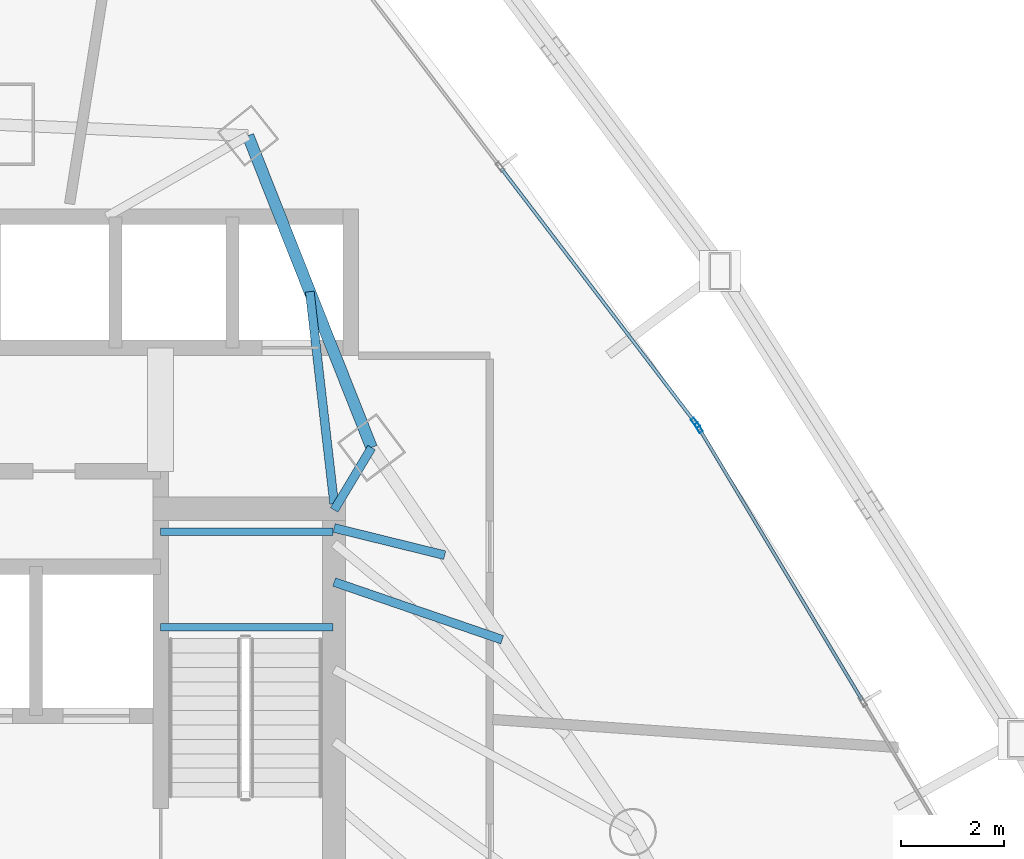
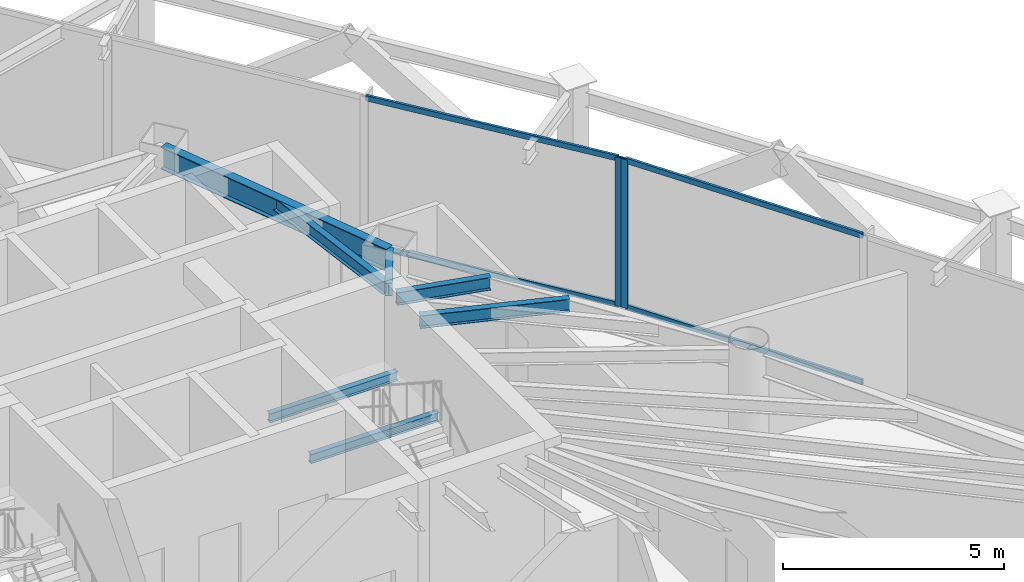
# One storey, part 24 of 33: 7 beams, 6 members, 2 elements without a shape of their own.
"""IFC4 building model written with IfcOpenShell, lengths in metres."""

from ifc_helpers import new_model, si_unit, direction, frame, origin, origin_2d, place, context, subcontext, project, spatial, hollow_rectangle, i_section, extrude, material, layer, layer_set, material_profile, profile_set, type_object, element, aggregate, save


model = new_model("IFC4")

# Units and contexts
model_context = context("Model", 3, precision=1e-05, world=origin(), true_north=direction((0.0, 1.0)))
body_context = subcontext(model_context, "Body", "Model", "MODEL_VIEW")
ifc_project = project(units=[si_unit("LENGTHUNIT", "METRE"), si_unit("AREAUNIT", "SQUARE_METRE"), si_unit("VOLUMEUNIT", "CUBIC_METRE"), si_unit("PLANEANGLEUNIT", "RADIAN"), si_unit("MASSUNIT", "GRAM", prefix="KILO")], contexts=[model_context])

# Site, building, storey
site_placement = place(None, origin())
site = spatial("IfcSite", under=ifc_project, at=site_placement, CompositionType="ELEMENT")
building_placement = place(site_placement, origin())
building = spatial("IfcBuilding", under=site, at=building_placement, Name="Orvanel Arch Residences", CompositionType="ELEMENT")
storey_placement = place(building_placement, frame((0.0, 0.0, 59.89990234375)))
storey = spatial("IfcBuildingStorey", under=building, at=storey_placement, Name="L16", CompositionType="ELEMENT", Elevation=59.89990234375)

# Beams
ifc_material_1 = material(Name="Structural steel AS/NZS 3679.1 Grade 300 (300 MPa)", Category="steel")
ifc_material_profile_1 = material_profile(ifc_material_1, i_section(OverallWidth=0.14599609375, OverallDepth=0.251953125, WebThickness=0.006103515625, FlangeThickness=0.008544921875, at=origin_2d()), Name="250UB31.4")
ifc_profile_set_1 = profile_set([ifc_material_profile_1], Name="Structural steel AS/NZS 3679.1 Grade 300 (300 MPa)")
beam_type_1 = type_object("IfcBeamType", Name="BJ-250UB", PredefinedType="JOIST", material=ifc_profile_set_1)
for number, where, z_axis, x_axis, name in (
    (1, (36.25, 31.6201171875, 1.84912109375), (1.0, 0.0, 0.0), (0.0, 1.0, 0.0), "L16 ST-2 Half-Landing Support Beam 1.1"),
    (2, (36.25, 33.47998046875, 1.84912109375), (1.0, 0.0, 0.0), (0.0, 1.0, 0.0), "L16 ST-2 Half-Landing Support Beam 1.2"),
):
    element("IfcBeam", number, at=place(storey_placement, frame(where, z_axis=z_axis, x_axis=x_axis)), inside=storey, type_object=beam_type_1, Name=name, PredefinedType="JOIST", context=body_context, shape_type="SweptSolid", body=[
        extrude(i_section(OverallWidth=0.14599609375, OverallDepth=0.251953125, WebThickness=0.006103515625, FlangeThickness=0.008544921875, at=origin_2d()), origin(), (0.0, 0.0, 1.0), 3.35009765625),
    ])
ifc_material_profile_2 = material_profile(ifc_material_1, i_section(OverallWidth=0.1708984375, OverallDepth=0.35595703125, WebThickness=0.00732421875, FlangeThickness=0.011474609375, at=origin_2d()), Name="360UB50.7")
ifc_profile_set_2 = profile_set([ifc_material_profile_2], Name="Structural steel AS/NZS 3679.1 Grade 300 (300 MPa)")
beam_type_2 = type_object("IfcBeamType", Name="BJ-360UB", PredefinedType="JOIST", material=ifc_profile_set_2)
beam_1_placement = place(storey_placement, frame((39.625, 33.89990234375, 3.93212890625), z_axis=(0.514064138778, 0.857751748015, 0.0), x_axis=(-0.857751748015, 0.514064138778, 0.0)))
element("IfcBeam", 3, at=beam_1_placement, inside=storey, type_object=beam_type_2, Name="L16 NNE Wing Floor Joist", PredefinedType="JOIST", context=body_context, shape_type="SweptSolid", body=[
    extrude(i_section(OverallWidth=0.1708984375, OverallDepth=0.35595703125, WebThickness=0.00732421875, FlangeThickness=0.011474609375, at=origin_2d()), origin(), (0.0, 0.0, 1.0), 1.414306640625),
])
beam_2_placement = place(storey_placement, frame((39.625, 34.02001953125, 3.93212890625), z_axis=(-0.114186670431, 0.993459311847, 0.0), x_axis=(-0.993459311847, -0.114186670431, 0.0)))
element("IfcBeam", 4, at=beam_2_placement, inside=storey, type_object=beam_type_2, Name="L16 NNE2 Wing Floor Joist", PredefinedType="JOIST", context=body_context, shape_type="SweptSolid", body=[
    extrude(i_section(OverallWidth=0.1708984375, OverallDepth=0.35595703125, WebThickness=0.00732421875, FlangeThickness=0.011474609375, at=origin_2d()), origin(), (0.0, 0.0, 1.0), 4.152099609375),
])
beam_3_placement = place(storey_placement, frame((39.625, 32.5, 3.93212890625), z_axis=(0.945658073701, -0.325162740247, 0.0), x_axis=(0.325162740247, 0.945658073701, 0.0)))
element("IfcBeam", 5, at=beam_3_placement, inside=storey, type_object=beam_type_2, Name="L16 ENE Wing Floor Joist", PredefinedType="JOIST", context=body_context, shape_type="SweptSolid", body=[
    extrude(i_section(OverallWidth=0.1708984375, OverallDepth=0.35595703125, WebThickness=0.00732421875, FlangeThickness=0.011474609375, at=origin_2d()), origin(), (0.0, 0.0, 1.0), 3.453857421875),
])
beam_4_placement = place(storey_placement, frame((39.625, 33.550048828125, 3.93212890625), z_axis=(0.971005818547, -0.239055851942, 0.0), x_axis=(0.239055851942, 0.971005818547, 0.0)))
element("IfcBeam", 6, at=beam_4_placement, inside=storey, type_object=beam_type_2, Name="L16 JADD4 Wing Floor Joist", PredefinedType="JOIST", context=body_context, shape_type="SweptSolid", body=[
    extrude(i_section(OverallWidth=0.1708984375, OverallDepth=0.35595703125, WebThickness=0.00732421875, FlangeThickness=0.011474609375, at=origin_2d()), origin(), (0.0, 0.0, 1.0), 2.213134765625),
])

# Curtain wall, member
ifc_material_2 = material(Name="Bronze-anodised aluminium AA6063-T6", Category="aluminium")
ifc_layer = layer(ifc_material_2, 0.195068359375)
ifc_layer_set = layer_set([ifc_layer], Name="Bronze-anodised aluminium AA6063-T6")
curtain_wall_type = type_object("IfcCurtainWallType", Name="CW6-COM-SYS", PredefinedType="NOTDEFINED", material=ifc_layer_set)
curtain_wall_1_placement = place(storey_placement, origin())
curtain_wall_1 = element("IfcCurtainWall", 7, at=curtain_wall_1_placement, inside=storey, type_object=curtain_wall_type, Name="L16 CW6-COM-SYS Unitised Curtain Wall", PredefinedType="NOTDEFINED")
ifc_material_profile_3 = material_profile(ifc_material_2, hollow_rectangle(XDim=0.074951171875, YDim=0.199951171875, WallThickness=0.0048828125, at=origin_2d()), Name="ALU200x75x5")
ifc_profile_set_3 = profile_set([ifc_material_profile_3], Name="Bronze-anodised aluminium AA6063-T6")
member_type_1 = type_object("IfcMemberType", Name="MUL-200x75", PredefinedType="MULLION", material=ifc_profile_set_3)
member_1_placement = place(storey_placement, frame((46.711181640625, 35.499755859375, 0.0), z_axis=(0.0, 0.0, 1.0), x_axis=(-0.857549408878, -0.514401605104, 0.0)))
member_1 = element("IfcMember", 8, at=member_1_placement, type_object=member_type_1, Name="CW-S6 mullion 3", PredefinedType="MULLION", context=body_context, shape_type="SweptSolid", body=[
    extrude(hollow_rectangle(XDim=0.074951171875, YDim=0.199951171875, WallThickness=0.0048828125, at=origin_2d()), origin(), (0.0, 0.0, 1.0), 4.110107421875),
])

curtain_wall_2_placement = place(storey_placement, origin())
curtain_wall_2 = element("IfcCurtainWall", 9, at=curtain_wall_2_placement, inside=storey, type_object=curtain_wall_type, Name="L16 CW6-COM-SYS Unitised Curtain Wall", PredefinedType="NOTDEFINED")
member_2_placement = place(storey_placement, frame((46.647216796875, 35.5947265625, 0.0), z_axis=(0.0, 0.0, 1.0), x_axis=(-0.795041304706, -0.606555293284, 0.0)))
member_2 = element("IfcMember", 10, at=member_2_placement, type_object=member_type_1, Name="CW-S6 mullion 1", PredefinedType="MULLION", context=body_context, shape_type="SweptSolid", body=[
    extrude(hollow_rectangle(XDim=0.074951171875, YDim=0.199951171875, WallThickness=0.0048828125, at=origin_2d()), origin(), (0.0, 0.0, 1.0), 4.110107421875),
])

# Beam
ifc_material_profile_4 = material_profile(ifc_material_1, i_section(OverallWidth=0.22900390625, OverallDepth=0.612060546875, WebThickness=0.011962890625, FlangeThickness=0.01953125, at=origin_2d()), Name="610UB125")
ifc_profile_set_4 = profile_set([ifc_material_profile_4], Name="Structural steel AS/NZS 3679.1 Grade 300 (300 MPa)")
beam_type_3 = type_object("IfcBeamType", Name="SP-610UB", PredefinedType="SPANDREL", material=ifc_profile_set_4)
beam_5_placement = place(storey_placement, frame((40.35205078125, 35.113037109375, 3.80419921875), z_axis=(-0.368233143579, 0.929733484376, 0.0), x_axis=(-0.929733484376, -0.368233143579, 0.0)))
element("IfcBeam", 11, at=beam_5_placement, inside=storey, type_object=beam_type_3, Name="L16 Perimeter Spandrel Beam 15", PredefinedType="SPANDREL", context=body_context, shape_type="SweptSolid", body=[
    extrude(i_section(OverallWidth=0.22900390625, OverallDepth=0.612060546875, WebThickness=0.011962890625, FlangeThickness=0.01953125, at=origin_2d()), origin(), (0.0, 0.0, 1.0), 6.523193359375),
])

# Member
ifc_material_profile_5 = material_profile(ifc_material_2, hollow_rectangle(XDim=0.06494140625, YDim=0.14990234375, WallThickness=0.00390625, at=origin_2d()), Name="ALU150x65x4")
ifc_profile_set_5 = profile_set([ifc_material_profile_5], Name="Bronze-anodised aluminium AA6063-T6")
member_type_2 = type_object("IfcMemberType", Name="TRN-150x65", PredefinedType="USERDEFINED", material=ifc_profile_set_5)
member_3_placement = place(storey_placement, frame((49.88671875, 30.2060546875, 0.03271484375), z_axis=(-0.514402129376, 0.857549094393, 0.0), x_axis=(-0.857549094393, -0.514402129376, 0.0)))
member_3 = element("IfcMember", 12, at=member_3_placement, type_object=member_type_2, Name="CW-S6 transom 2.1", ObjectType="TRANSOM", PredefinedType="USERDEFINED", context=body_context, shape_type="SweptSolid", body=[
    extrude(hollow_rectangle(XDim=0.06494140625, YDim=0.14990234375, WallThickness=0.00390625, at=origin_2d()), origin(), (0.0, 0.0, 1.0), 6.1357421875),
])

member_4_placement = place(storey_placement, frame((49.88671875, 30.2060546875, 4.07763671875), z_axis=(-0.514402129376, 0.857549094393, 0.0), x_axis=(-0.857549094393, -0.514402129376, 0.0)))
member_4 = element("IfcMember", 13, at=member_4_placement, type_object=member_type_2, Name="CW-S6 transom 2.2", ObjectType="TRANSOM", PredefinedType="USERDEFINED", context=body_context, shape_type="SweptSolid", body=[
    extrude(hollow_rectangle(XDim=0.06494140625, YDim=0.14990234375, WallThickness=0.00390625, at=origin_2d()), origin(), (0.0, 0.0, 1.0), 6.1357421875),
])

aggregate(curtain_wall_1, [member_1, member_3, member_4])

member_5_placement = place(storey_placement, frame((46.62451171875, 35.62451171875, 0.03271484375), z_axis=(-0.606545237605, 0.795048976314, 0.0), x_axis=(-0.795048976314, -0.606545237605, 0.0)))
member_5 = element("IfcMember", 14, at=member_5_placement, type_object=member_type_2, Name="CW-S6 transom 1.1", ObjectType="TRANSOM", PredefinedType="USERDEFINED", context=body_context, shape_type="SweptSolid", body=[
    extrude(hollow_rectangle(XDim=0.06494140625, YDim=0.14990234375, WallThickness=0.00390625, at=origin_2d()), origin(), (0.0, 0.0, 1.0), 6.181640625),
])

member_6_placement = place(storey_placement, frame((46.62451171875, 35.62451171875, 4.07763671875), z_axis=(-0.606545237605, 0.795048976314, 0.0), x_axis=(-0.795048976314, -0.606545237605, 0.0)))
member_6 = element("IfcMember", 15, at=member_6_placement, type_object=member_type_2, Name="CW-S6 transom 1.2", ObjectType="TRANSOM", PredefinedType="USERDEFINED", context=body_context, shape_type="SweptSolid", body=[
    extrude(hollow_rectangle(XDim=0.06494140625, YDim=0.14990234375, WallThickness=0.00390625, at=origin_2d()), origin(), (0.0, 0.0, 1.0), 6.181640625),
])

aggregate(curtain_wall_2, [member_2, member_5, member_6])

save(model, "model.ifc")
